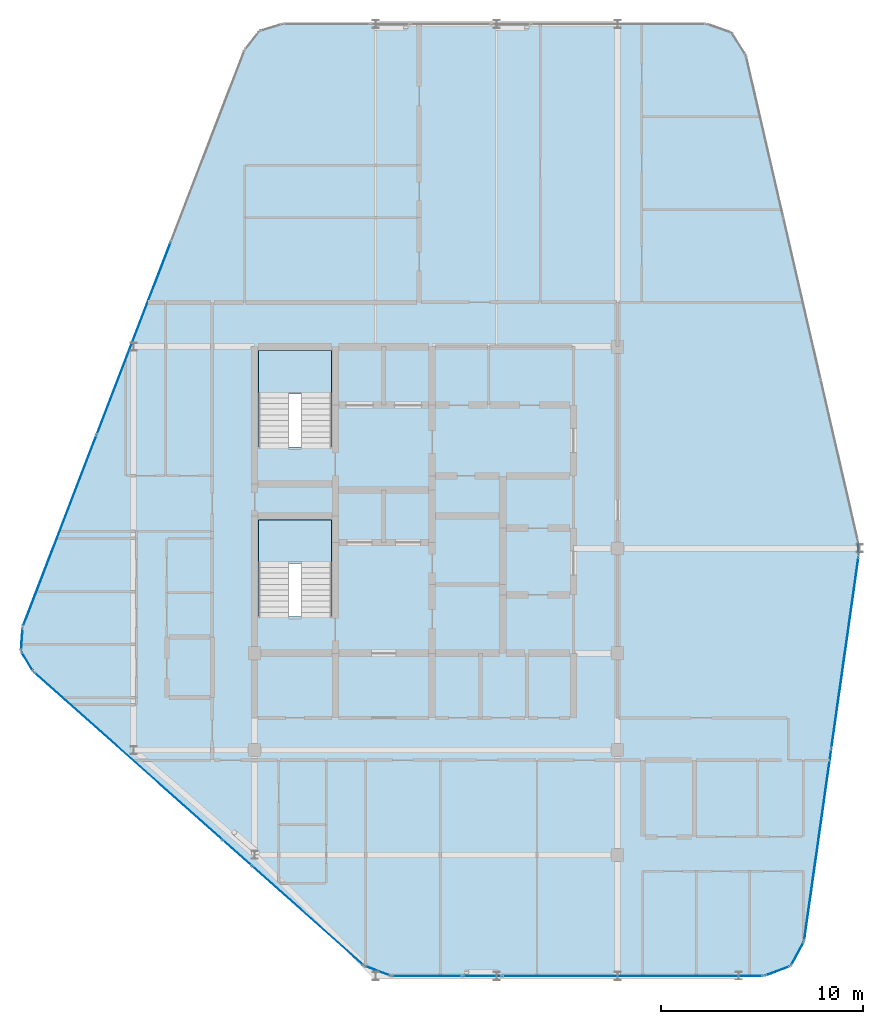
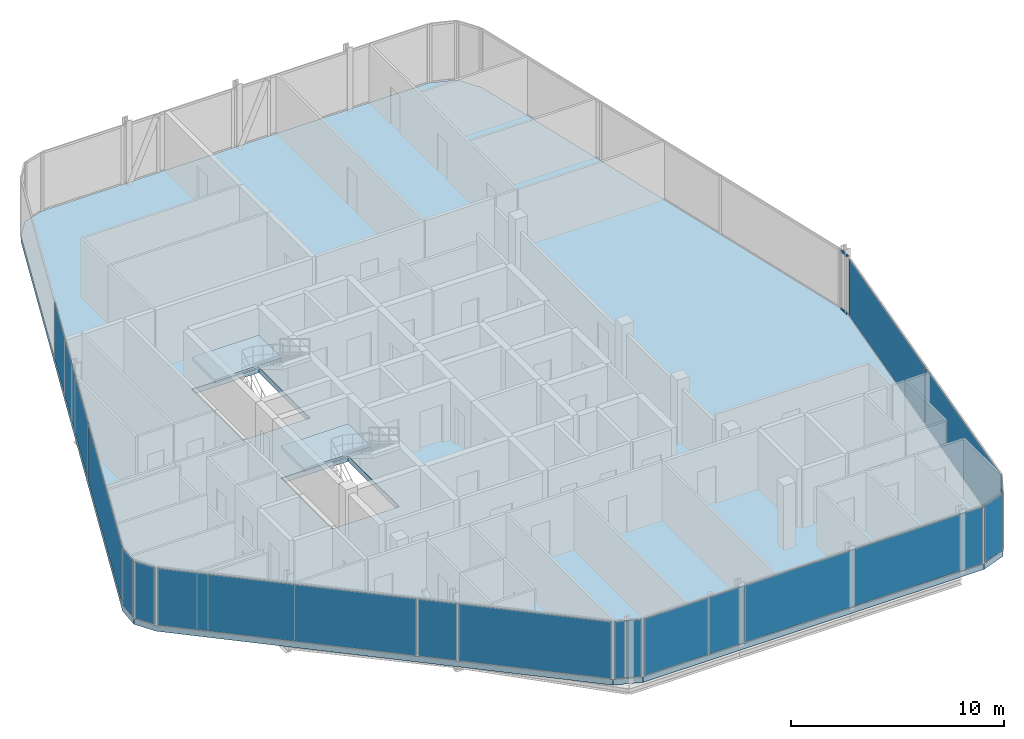
# One storey, part 20 of 27: 15 plates, 3 slabs, 2 members, 16 elements without a shape of their own.
"""IFC4 building model written with IfcOpenShell, lengths in metres."""

from ifc_helpers import new_model, si_unit, direction, frame, origin, origin_2d, place, context, subcontext, project, spatial, polyline, rectangle, hollow_rectangle, outline, extrude, material, layer, layer_set, material_profile, profile_set, type_object, element, aggregate, save


model = new_model("IFC4")

# Units and contexts
model_context = context("Model", 3, precision=1e-05, world=origin(), true_north=direction((0.0, 1.0)))
body_context = subcontext(model_context, "Body", "Model", "MODEL_VIEW")
ifc_project = project(units=[si_unit("LENGTHUNIT", "METRE"), si_unit("AREAUNIT", "SQUARE_METRE"), si_unit("VOLUMEUNIT", "CUBIC_METRE"), si_unit("PLANEANGLEUNIT", "RADIAN"), si_unit("MASSUNIT", "GRAM", prefix="KILO")], contexts=[model_context])

# Site, building, storey
site_placement = place(None, origin())
site = spatial("IfcSite", under=ifc_project, at=site_placement, CompositionType="ELEMENT")
building_placement = place(site_placement, origin())
building = spatial("IfcBuilding", under=site, at=building_placement, Name="Keshet Zoharim Tower", CompositionType="ELEMENT")
storey_placement = place(building_placement, frame((0.0, 0.0, 307.300048828125)))
storey = spatial("IfcBuildingStorey", under=building, at=storey_placement, Name="L77", CompositionType="ELEMENT", Elevation=307.300048828125)

# Curtain wall, members
ifc_material_1 = material(Name="Aluminium 6063-T6", Category="aluminium")
ifc_layer_1 = layer(ifc_material_1, 0.260009765625)
ifc_layer_set_1 = layer_set([ifc_layer_1], Name="Aluminium 6063-T6")
curtain_wall_type = type_object("IfcCurtainWallType", Name="CW-SYS-06", PredefinedType="NOTDEFINED", material=ifc_layer_set_1)
curtain_wall_1_placement = place(storey_placement, origin())
curtain_wall_1 = element("IfcCurtainWall", 1, at=curtain_wall_1_placement, inside=storey, type_object=curtain_wall_type, Name="L77 Unitised Curtain Wall 10", PredefinedType="NOTDEFINED")
ifc_material_profile = material_profile(ifc_material_1, hollow_rectangle(XDim=0.074951171875, YDim=0.1201171875, WallThickness=0.00390625, at=origin_2d()), Name="TRN-75x120")
ifc_profile_set = profile_set([ifc_material_profile], Name="Aluminium 6063-T6")
member_type = type_object("IfcMemberType", Name="CWT-T12", PredefinedType="USERDEFINED", material=ifc_profile_set)
member_1_placement = place(storey_placement, frame((44.9189453125, 28.192138671875, 0.034912109375), z_axis=(0.043813905352, -0.99903970977, 0.0), x_axis=(0.99903970977, 0.043813905352, 0.0)))
member_1 = element("IfcMember", 2, at=member_1_placement, type_object=member_type, Name="CW-06 transom 1.1", ObjectType="TRANSOM", PredefinedType="USERDEFINED", context=body_context, shape_type="SweptSolid", body=[
    extrude(hollow_rectangle(XDim=0.074951171875, YDim=0.1201171875, WallThickness=0.00390625, at=origin_2d()), origin(), (0.0, 0.0, 1.0), 0.590576171875),
])
member_2_placement = place(storey_placement, frame((44.9189453125, 28.192138671875, 3.35498046875), z_axis=(0.043813905352, -0.99903970977, 0.0), x_axis=(0.99903970977, 0.043813905352, 0.0)))
member_2 = element("IfcMember", 3, at=member_2_placement, type_object=member_type, Name="CW-06 transom 1.2", ObjectType="TRANSOM", PredefinedType="USERDEFINED", context=body_context, shape_type="SweptSolid", body=[
    extrude(hollow_rectangle(XDim=0.074951171875, YDim=0.1201171875, WallThickness=0.00390625, at=origin_2d()), origin(), (0.0, 0.0, 1.0), 0.590576171875),
])
aggregate(curtain_wall_1, [member_1, member_2])

# Curtain wall, plate
curtain_wall_2_placement = place(storey_placement, origin())
curtain_wall_2 = element("IfcCurtainWall", 4, at=curtain_wall_2_placement, inside=storey, type_object=curtain_wall_type, Name="L77 Unitised Curtain Wall 01", PredefinedType="NOTDEFINED")
ifc_material_2 = material(Name="Insulated Low-E Clear Glass", Category="glass")
ifc_layer_2 = layer(ifc_material_2, 0.028076171875)
ifc_layer_set_2 = layer_set([ifc_layer_2], Name="Insulated Low-E Clear Glass")
plate_type_1 = type_object("IfcPlateType", Name="CWP-03", PredefinedType="CURTAIN_PANEL", material=ifc_layer_set_2)
plate_1_placement = place(storey_placement, frame((3.7275390625, 22.291015625, 0.070068359375), z_axis=(0.0, 0.0, 1.0), x_axis=(-0.515604947933, 0.856826433805, 0.0)))
plate_1 = element("IfcPlate", 5, at=plate_1_placement, type_object=plate_type_1, Name="CW-06 panel 1.1", PredefinedType="CURTAIN_PANEL", context=body_context, shape_type="SweptSolid", body=[
    extrude(rectangle(XDim=1.052734375, YDim=0.028076171875, at=origin_2d()), origin(), (0.0, 0.0, 1.0), 3.25),
])
aggregate(curtain_wall_2, [plate_1])

curtain_wall_3_placement = place(storey_placement, origin())
curtain_wall_3 = element("IfcCurtainWall", 6, at=curtain_wall_3_placement, inside=storey, type_object=curtain_wall_type, Name="L77 Unitised Curtain Wall 02", PredefinedType="NOTDEFINED")
plate_2_placement = place(storey_placement, frame((3.45849609375, 23.3974609375, 0.070068359375), z_axis=(0.0, 0.0, 1.0), x_axis=(0.064516859374, 0.997916617186, 0.0)))
plate_2 = element("IfcPlate", 7, at=plate_2_placement, type_object=plate_type_1, Name="CW-06 panel 1.1", PredefinedType="CURTAIN_PANEL", context=body_context, shape_type="SweptSolid", body=[
    extrude(rectangle(XDim=1.053466796875, YDim=0.028076171875, at=origin_2d()), origin(), (0.0, 0.0, 1.0), 3.25),
])
aggregate(curtain_wall_3, [plate_2])

# Curtain wall, plates
curtain_wall_4_placement = place(storey_placement, origin())
curtain_wall_4 = element("IfcCurtainWall", 8, at=curtain_wall_4_placement, inside=storey, type_object=curtain_wall_type, Name="L77 Unitised Curtain Wall 03", PredefinedType="NOTDEFINED")
plate_3_placement = place(storey_placement, frame((5.33837890625, 28.7802734375, 0.070068359375), z_axis=(0.0, 0.0, 1.0), x_axis=(0.358990003907, 0.933341404361, 0.0)))
plate_3 = element("IfcPlate", 9, at=plate_3_placement, type_object=plate_type_1, Name="CW-06 panel 1.1", PredefinedType="CURTAIN_PANEL", context=body_context, shape_type="SweptSolid", body=[
    extrude(rectangle(XDim=10.1181640625, YDim=0.028076171875, at=origin_2d()), origin(), (0.0, 0.0, 1.0), 3.25),
])
plate_4_placement = place(storey_placement, frame((9.001953125, 38.305419921875, 0.070068359375), z_axis=(0.0, 0.0, 1.0), x_axis=(0.358990003907, 0.933341404361, 0.0)))
plate_4 = element("IfcPlate", 10, at=plate_4_placement, type_object=plate_type_1, Name="CW-06 panel 2.1", PredefinedType="CURTAIN_PANEL", context=body_context, shape_type="SweptSolid", body=[
    extrude(rectangle(XDim=10.153076171875, YDim=0.028076171875, at=origin_2d()), origin(), (0.0, 0.0, 1.0), 3.25),
])
aggregate(curtain_wall_4, [plate_3, plate_4])

curtain_wall_5_placement = place(storey_placement, origin())
curtain_wall_5 = element("IfcCurtainWall", 11, at=curtain_wall_5_placement, inside=storey, type_object=curtain_wall_type, Name="L77 Unitised Curtain Wall 11", PredefinedType="NOTDEFINED")
plate_5_placement = place(storey_placement, frame((44.269287109375, 22.736572265625, 0.070068359375), z_axis=(0.0, 0.0, 1.0), x_axis=(-0.140137464177, -0.990132057422, 0.0)))
plate_5 = element("IfcPlate", 12, at=plate_5_placement, type_object=plate_type_1, Name="CW-06 panel 1.1", PredefinedType="CURTAIN_PANEL", context=body_context, shape_type="SweptSolid", body=[
    extrude(rectangle(XDim=9.546142578125, YDim=0.028076171875, at=origin_2d()), origin(), (0.0, 0.0, 1.0), 3.25),
])
plate_6_placement = place(storey_placement, frame((42.921630859375, 13.21533203125, 0.070068359375), z_axis=(0.0, 0.0, 1.0), x_axis=(-0.140137464177, -0.990132057422, 0.0)))
plate_6 = element("IfcPlate", 13, at=plate_6_placement, type_object=plate_type_1, Name="CW-06 panel 2.1", PredefinedType="CURTAIN_PANEL", context=body_context, shape_type="SweptSolid", body=[
    extrude(rectangle(XDim=9.546142578125, YDim=0.028076171875, at=origin_2d()), origin(), (0.0, 0.0, 1.0), 3.25),
])
aggregate(curtain_wall_5, [plate_5, plate_6])

# Curtain wall, plate
curtain_wall_6_placement = place(storey_placement, origin())
curtain_wall_6 = element("IfcCurtainWall", 14, at=curtain_wall_6_placement, inside=storey, type_object=curtain_wall_type, Name="L77 Unitised Curtain Wall 12", PredefinedType="NOTDEFINED")
plate_7_placement = place(storey_placement, frame((41.908447265625, 7.804931640625, 0.070068359375), z_axis=(0.0, 0.0, 1.0), x_axis=(-0.477800955789, -0.878468125004, 0.0)))
plate_7 = element("IfcPlate", 15, at=plate_7_placement, type_object=plate_type_1, Name="CW-06 panel 1.1", PredefinedType="CURTAIN_PANEL", context=body_context, shape_type="SweptSolid", body=[
    extrude(rectangle(XDim=1.26025390625, YDim=0.028076171875, at=origin_2d()), origin(), (0.0, 0.0, 1.0), 3.25),
])
aggregate(curtain_wall_6, [plate_7])

curtain_wall_7_placement = place(storey_placement, origin())
curtain_wall_7 = element("IfcCurtainWall", 16, at=curtain_wall_7_placement, inside=storey, type_object=curtain_wall_type, Name="L77 Unitised Curtain Wall 13", PredefinedType="NOTDEFINED")
plate_8_placement = place(storey_placement, frame((40.91845703125, 6.945068359375, 0.070068359375), z_axis=(0.0, 0.0, 1.0), x_axis=(-0.936710343781, -0.350105315376, 0.0)))
plate_8 = element("IfcPlate", 17, at=plate_8_placement, type_object=plate_type_1, Name="CW-06 panel 1.1", PredefinedType="CURTAIN_PANEL", context=body_context, shape_type="SweptSolid", body=[
    extrude(rectangle(XDim=1.259521484375, YDim=0.028076171875, at=origin_2d()), origin(), (0.0, 0.0, 1.0), 3.25),
])
aggregate(curtain_wall_7, [plate_8])

curtain_wall_8_placement = place(storey_placement, origin())
curtain_wall_8 = element("IfcCurtainWall", 18, at=curtain_wall_8_placement, inside=storey, type_object=curtain_wall_type, Name="L77 Unitised Curtain Wall 14", PredefinedType="NOTDEFINED")
plate_9_placement = place(storey_placement, frame((33.743896484375, 6.699951171875, 0.070068359375), z_axis=(0.0, 0.0, 1.0), x_axis=(-1.0, 0.0, 0.0)))
plate_9 = element("IfcPlate", 19, at=plate_9_placement, type_object=plate_type_1, Name="CW-06 panel 1.1", PredefinedType="CURTAIN_PANEL", context=body_context, shape_type="SweptSolid", body=[
    extrude(rectangle(XDim=12.898193359375, YDim=0.028076171875, at=origin_2d()), origin(), (0.0, 0.0, 1.0), 3.25),
])
aggregate(curtain_wall_8, [plate_9])

curtain_wall_9_placement = place(storey_placement, origin())
curtain_wall_9 = element("IfcCurtainWall", 20, at=curtain_wall_9_placement, inside=storey, type_object=curtain_wall_type, Name="L77 Unitised Curtain Wall 14 Part 3", PredefinedType="NOTDEFINED")
plate_10_placement = place(storey_placement, frame((23.552490234375, 6.699951171875, 0.070068359375), z_axis=(0.0, 0.0, 1.0), x_axis=(-1.0, 0.0, 0.0)))
plate_10 = element("IfcPlate", 21, at=plate_10_placement, type_object=plate_type_1, Name="CW-06 panel 1.1", PredefinedType="CURTAIN_PANEL", context=body_context, shape_type="SweptSolid", body=[
    extrude(rectangle(XDim=3.4453125, YDim=0.028076171875, at=origin_2d()), origin(), (0.0, 0.0, 1.0), 3.25),
])
aggregate(curtain_wall_9, [plate_10])

curtain_wall_10_placement = place(storey_placement, origin())
curtain_wall_10 = element("IfcCurtainWall", 22, at=curtain_wall_10_placement, inside=storey, type_object=curtain_wall_type, Name="L77 Unitised Curtain Wall 15", PredefinedType="NOTDEFINED")
plate_11_placement = place(storey_placement, frame((21.095947265625, 6.952392578125, 0.070068359375), z_axis=(0.0, 0.0, 1.0), x_axis=(-0.934699418314, 0.355439161326, 0.0)))
plate_11 = element("IfcPlate", 23, at=plate_11_placement, type_object=plate_type_1, Name="CW-06 panel 1.1", PredefinedType="CURTAIN_PANEL", context=body_context, shape_type="SweptSolid", body=[
    extrude(rectangle(XDim=1.28076171875, YDim=0.028076171875, at=origin_2d()), origin(), (0.0, 0.0, 1.0), 3.25),
])
aggregate(curtain_wall_10, [plate_11])

curtain_wall_11_placement = place(storey_placement, origin())
curtain_wall_11 = element("IfcCurtainWall", 24, at=curtain_wall_11_placement, inside=storey, type_object=curtain_wall_type, Name="L77 Unitised Curtain Wall 16", PredefinedType="NOTDEFINED")
plate_12_placement = place(storey_placement, frame((17.634521484375, 9.691650390625, 0.070068359375), z_axis=(0.0, 0.0, 1.0), x_axis=(-0.747410792699, 0.664362180559, 0.0)))
plate_12 = element("IfcPlate", 25, at=plate_12_placement, type_object=plate_type_1, Name="CW-06 panel 1.1", PredefinedType="CURTAIN_PANEL", context=body_context, shape_type="SweptSolid", body=[
    extrude(rectangle(XDim=7.345947265625, YDim=0.028076171875, at=origin_2d()), origin(), (0.0, 0.0, 1.0), 3.25),
])
aggregate(curtain_wall_11, [plate_12])

curtain_wall_12_placement = place(storey_placement, origin())
curtain_wall_12 = element("IfcCurtainWall", 26, at=curtain_wall_12_placement, inside=storey, type_object=curtain_wall_type, Name="L77 Unitised Curtain Wall 16 Part 3", PredefinedType="NOTDEFINED")
plate_13_placement = place(storey_placement, frame((8.7333984375, 17.603515625, 0.070068359375), z_axis=(0.0, 0.0, 1.0), x_axis=(-0.747409318679, 0.664363838836, 0.0)))
plate_13 = element("IfcPlate", 27, at=plate_13_placement, type_object=plate_type_1, Name="CW-06 panel 1.1", PredefinedType="CURTAIN_PANEL", context=body_context, shape_type="SweptSolid", body=[
    extrude(rectangle(XDim=12.432861328125, YDim=0.028076171875, at=origin_2d()), origin(), (0.0, 0.0, 1.0), 3.25),
])
aggregate(curtain_wall_12, [plate_13])

curtain_wall_13_placement = place(storey_placement, origin())
curtain_wall_13 = element("IfcCurtainWall", 28, at=curtain_wall_13_placement, inside=storey, type_object=curtain_wall_type, Name="L77 Unitised Curtain Wall 14 Part 2", PredefinedType="NOTDEFINED")
ifc_material_3 = material(Name="Insulated Aluminium Spandrel Panel", Category="aluminium")
ifc_layer_3 = layer(ifc_material_3, 0.028076171875)
ifc_layer_set_3 = layer_set([ifc_layer_3], Name="Insulated Aluminium Spandrel Panel")
plate_type_2 = type_object("IfcPlateType", Name="CWP-06", PredefinedType="CURTAIN_PANEL", material=ifc_layer_set_3)
plate_14_placement = place(storey_placement, frame((26.284912109375, 6.699951171875, 0.070068359375), z_axis=(0.0, 0.0, 1.0), x_axis=(-1.0, 0.0, 0.0)))
plate_14 = element("IfcPlate", 29, at=plate_14_placement, type_object=plate_type_2, Name="CW-06 spandrel panel 1.1", PredefinedType="CURTAIN_PANEL", context=body_context, shape_type="SweptSolid", body=[
    extrude(rectangle(XDim=1.879638671875, YDim=0.028076171875, at=origin_2d()), origin(), (0.0, 0.0, 1.0), 3.25),
])
aggregate(curtain_wall_13, [plate_14])

curtain_wall_14_placement = place(storey_placement, origin())
curtain_wall_14 = element("IfcCurtainWall", 30, at=curtain_wall_14_placement, inside=storey, type_object=curtain_wall_type, Name="L77 Unitised Curtain Wall 16 Part 2", PredefinedType="NOTDEFINED")
plate_15_placement = place(storey_placement, frame((14.134521484375, 12.802734375, 0.070068359375), z_axis=(0.0, 0.0, 1.0), x_axis=(-0.747431957629, 0.664338369143, 0.0)))
plate_15 = element("IfcPlate", 31, at=plate_15_placement, type_object=plate_type_2, Name="CW-06 spandrel panel 1.1", PredefinedType="CURTAIN_PANEL", context=body_context, shape_type="SweptSolid", body=[
    extrude(rectangle(XDim=1.879638671875, YDim=0.028076171875, at=origin_2d()), origin(), (0.0, 0.0, 1.0), 3.25),
])
aggregate(curtain_wall_14, [plate_15])

# Stair, slab
ifc_material_4 = material(Name="Concrete C50/60", Category="concrete")
stair_type = type_object("IfcStairType", Name="STR-EXIT-135", PredefinedType="HALF_TURN_STAIR", material=ifc_material_4)
stair_1_placement = place(storey_placement, origin())
stair_1 = element("IfcStair", 32, at=stair_1_placement, inside=storey, type_object=stair_type, Name="L77 Enclosed Exit Stair ST-01", PredefinedType="HALF_TURN_STAIR")
ifc_layer_4 = layer(ifc_material_4, 0.199951171875)
ifc_layer_set_4 = layer_set([ifc_layer_4], Name="Concrete C50/60")
slab_type_1 = type_object("IfcSlabType", Name="SLB-LND-200", PredefinedType="LANDING", material=ifc_layer_set_4)
slab_1_placement = place(storey_placement, frame((0.0, 0.0, 1.64990234375)))
slab_1 = element("IfcSlab", 33, at=slab_1_placement, type_object=slab_type_1, Name="ST-01 landing 1", PredefinedType="LANDING", context=body_context, shape_type="SweptSolid", body=[
    extrude(outline(polyline([(15.179931640625, 27.159912109375), (18.820068359375, 27.159912109375), (18.820068359375, 29.320068359375), (15.179931640625, 29.320068359375), (15.179931640625, 27.159912109375)])), origin(), (0.0, 0.0, 1.0), 0.199951171875),
])
aggregate(stair_1, [slab_1])

stair_2_placement = place(storey_placement, origin())
stair_2 = element("IfcStair", 34, at=stair_2_placement, inside=storey, type_object=stair_type, Name="L77 Enclosed Exit Stair ST-02", PredefinedType="HALF_TURN_STAIR")
slab_2_placement = place(storey_placement, frame((0.0, 0.0, 1.64990234375)))
slab_2 = element("IfcSlab", 35, at=slab_2_placement, type_object=slab_type_1, Name="ST-02 landing 1", PredefinedType="LANDING", context=body_context, shape_type="SweptSolid", body=[
    extrude(outline(polyline([(15.179931640625, 35.56005859375), (18.820068359375, 35.56005859375), (18.820068359375, 37.719970703125), (15.179931640625, 37.719970703125), (15.179931640625, 35.56005859375)])), origin(), (0.0, 0.0, 1.0), 0.199951171875),
])
aggregate(stair_2, [slab_2])

# Slab
ifc_layer_5 = layer(ifc_material_4, 0.31005859375)
ifc_layer_set_5 = layer_set([ifc_layer_5], Name="Concrete C50/60")
slab_type_2 = type_object("IfcSlabType", Name="SLB-UPP-240", PredefinedType="FLOOR", material=ifc_layer_set_5)
slab_3_placement = place(storey_placement, frame((0.0, 0.0, -0.31005859375)))
element("IfcSlab", 36, at=slab_3_placement, inside=storey, type_object=slab_type_2, Name="L77 Structural Floor Slab 1", PredefinedType="FLOOR", context=body_context, shape_type="SweptSolid", body=[
    extrude(outline(polyline([(4.034912109375, 21.780029296875), (3.419921875, 22.802001953125), (3.4970703125, 23.992919921875), (14.507080078125, 52.617919921875), (15.240966796875, 53.549072265625), (16.3740234375, 53.89990234375), (37.408935546875, 53.89990234375), (38.654052734375, 53.465087890625), (39.35791015625, 52.35009765625), (44.916015625, 28.261962890625), (44.947998046875, 27.531982421875), (42.242919921875, 8.419921875), (41.573974609375, 7.18994140625), (40.262939453125, 6.699951171875), (21.760009765625, 6.699951171875), (20.431884765625, 7.205078125), (4.034912109375, 21.780029296875)]), holes=[polyline([(15.179931640625, 24.52001953125), (18.820068359375, 24.52001953125), (18.820068359375, 29.320068359375), (15.179931640625, 29.320068359375), (15.179931640625, 24.52001953125)]), polyline([(15.179931640625, 32.919921875), (18.820068359375, 32.919921875), (18.820068359375, 37.719970703125), (15.179931640625, 37.719970703125), (15.179931640625, 32.919921875)])]), origin(), (0.0, 0.0, 1.0), 0.31005859375),
])

save(model, "model.ifc")
